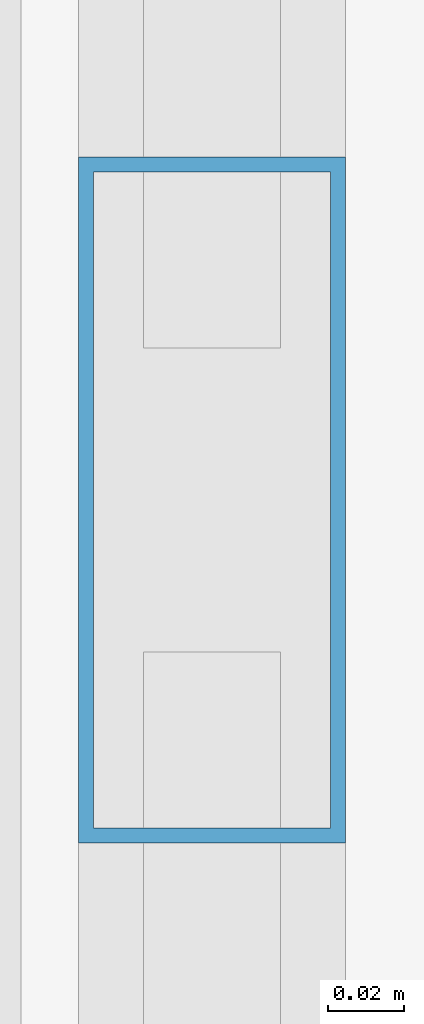
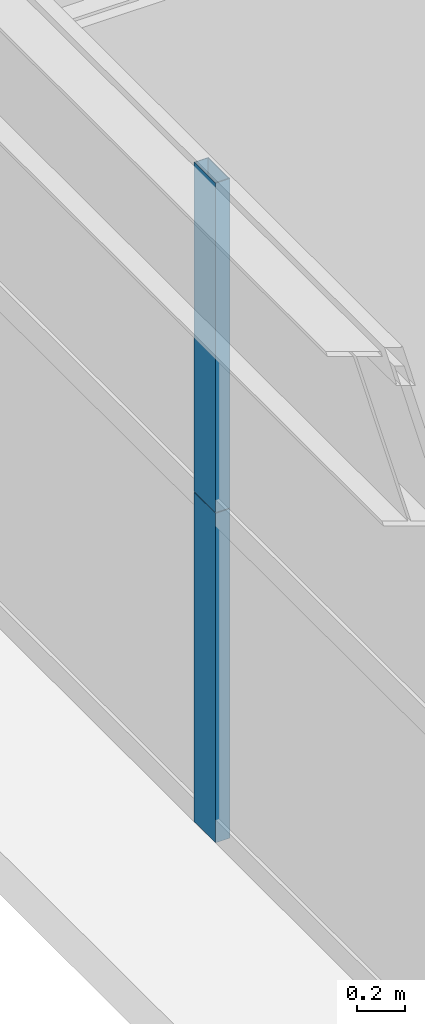
# One storey, part 11 of 43: 2 members, 1 element without a shape of its own.
"""IFC4 building model written with IfcOpenShell, lengths in metres."""

from ifc_helpers import new_model, si_unit, direction, frame, origin, origin_2d, place, context, subcontext, project, spatial, hollow_rectangle, extrude, source, transform, mapped, material, layer, layer_set, material_profile, profile_set, type_object, element, aggregate, save


model = new_model("IFC4")

# Units and contexts
model_context = context("Model", 3, precision=1e-05, world=origin(), true_north=direction((0.0, 1.0)))
body_context = subcontext(model_context, "Body", "Model", "MODEL_VIEW")
ifc_project = project(units=[si_unit("LENGTHUNIT", "METRE"), si_unit("AREAUNIT", "SQUARE_METRE"), si_unit("VOLUMEUNIT", "CUBIC_METRE"), si_unit("PLANEANGLEUNIT", "RADIAN"), si_unit("MASSUNIT", "GRAM", prefix="KILO"), si_unit("THERMODYNAMICTEMPERATUREUNIT", "KELVIN"), si_unit("POWERUNIT", "WATT")], contexts=[model_context])

# Site, building, storey
site_placement = place(None, origin())
site = spatial("IfcSite", under=ifc_project, at=site_placement, CompositionType="ELEMENT")
building_placement = place(site_placement, origin())
building = spatial("IfcBuilding", under=site, at=building_placement, Name="Yuzanri Waterfront Tower", CompositionType="ELEMENT")
storey_placement = place(building_placement, frame((0.0, 0.0, 138.0)))
storey = spatial("IfcBuildingStorey", under=building, at=storey_placement, Name="L36", CompositionType="ELEMENT", Elevation=138.0)

# Curtain wall, members
ifc_material_1 = material(Name="Anodized Architectural Bronze", Category="metal")
ifc_layer = layer(ifc_material_1, 0.159912109375)
ifc_layer_set = layer_set([ifc_layer], Name="Anodized Architectural Bronze")
curtain_wall_type = type_object("IfcCurtainWallType", Name="Anodized Bronze Hotel Upper-Tier Solar-Control Unitized Curtain Wall 7800", PredefinedType="NOTDEFINED", material=ifc_layer_set)
curtain_wall_placement = place(storey_placement, origin())
curtain_wall = element("IfcCurtainWall", 1, at=curtain_wall_placement, inside=storey, type_object=curtain_wall_type, Name="L36 Curtain Wall CW-L36-WL", PredefinedType="NOTDEFINED")
ifc_material_2 = material(Name="Anodized Architectural Bronze", Category="metal")
ifc_material_profile = material_profile(ifc_material_2, hollow_rectangle(XDim=0.070068359375, YDim=0.179931640625, WallThickness=0.00390625, at=origin_2d()), Name="CWM 70x180")
ifc_profile_set = profile_set([ifc_material_profile], Name="Anodized Architectural Bronze")
member_type = type_object("IfcMemberType", Name="Anodized Bronze Standard Curtain-Wall Mullion 70x180", PredefinedType="MULLION", material=ifc_profile_set)
shared_shape = source(origin(), body_context, "Body", "SweptSolid", [
    extrude(hollow_rectangle(XDim=0.070068359375, YDim=0.179931640625, WallThickness=0.00390625, at=origin_2d()), origin(), (0.0, 0.0, 1.0), 1.68798828125),
])
member_1_placement = place(storey_placement, frame((13.550048828125, 17.449951171875, 0.0), z_axis=(0.0, 0.0, 1.0), x_axis=(1.0, 0.0, 0.0)))
member_1 = element("IfcMember", 2, at=member_1_placement, type_object=member_type, Name="CW-L36-WL Lower Mullion 01", PredefinedType="MULLION", context=body_context, shape_type="MappedRepresentation", body=[
    mapped(shared_shape, transform((0.0, 0.0, 0.0), scale=1.0)),
])
member_2_placement = place(storey_placement, frame((13.550048828125, 17.449951171875, 1.69189453125), z_axis=(0.0, 0.0, 1.0), x_axis=(1.0, 0.0, 0.0)))
member_2 = element("IfcMember", 3, at=member_2_placement, type_object=member_type, Name="CW-L36-WL Upper Mullion 01", PredefinedType="MULLION", context=body_context, shape_type="MappedRepresentation", body=[
    mapped(shared_shape, transform((0.0, 0.0, 0.0), scale=1.0)),
])
aggregate(curtain_wall, [member_1, member_2])

save(model, "model.ifc")
